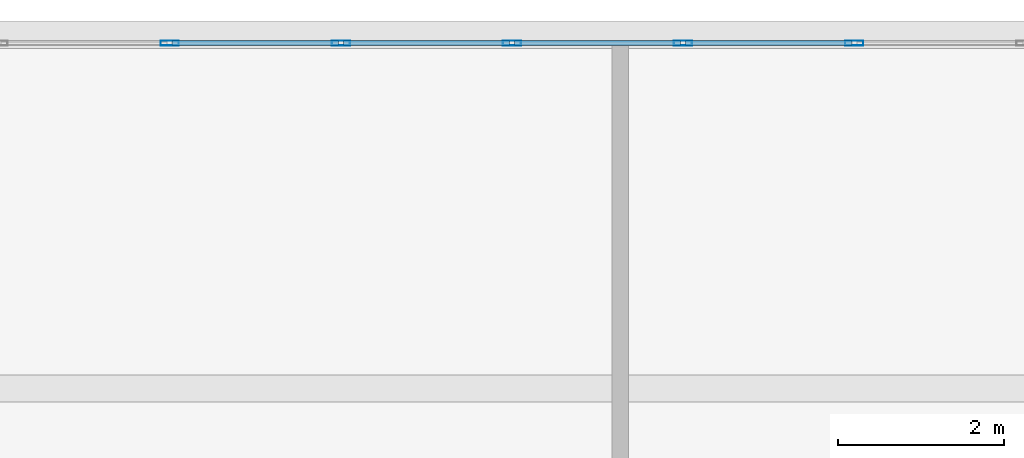
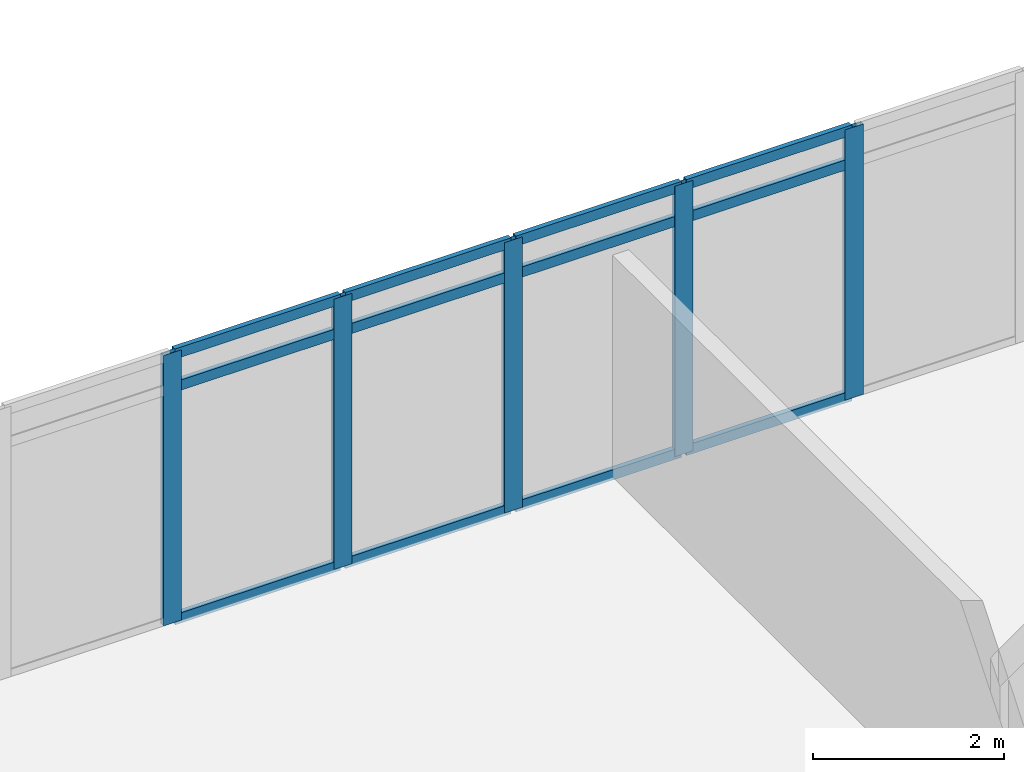
# One storey, part 22 of 38: 17 members, 1 element without a shape of its own.
"""IFC4 building model written with IfcOpenShell, lengths in metres."""

from ifc_helpers import new_model, si_unit, direction, frame, origin, origin_2d, place, context, subcontext, project, spatial, hollow_rectangle, extrude, material, material_profile, profile_set, type_object, element, aggregate, save


model = new_model("IFC4")

# Units and contexts
model_context = context("Model", 3, precision=1e-05, world=origin(), true_north=direction((0.0, 1.0)))
body_context = subcontext(model_context, "Body", "Model", "MODEL_VIEW")
ifc_project = project(units=[si_unit("LENGTHUNIT", "METRE"), si_unit("AREAUNIT", "SQUARE_METRE"), si_unit("VOLUMEUNIT", "CUBIC_METRE"), si_unit("PLANEANGLEUNIT", "RADIAN"), si_unit("MASSUNIT", "GRAM", prefix="KILO")], contexts=[model_context])

# Site, building, storey
site_placement = place(None, origin())
site = spatial("IfcSite", under=ifc_project, at=site_placement, CompositionType="ELEMENT")
building_placement = place(site_placement, origin())
building = spatial("IfcBuilding", under=site, at=building_placement, Name="Ostrander Bayou Hotel Tower", CompositionType="ELEMENT")
storey_placement = place(building_placement, frame((0.0, 0.0, 96.75)))
storey = spatial("IfcBuildingStorey", under=building, at=storey_placement, Name="L24", CompositionType="ELEMENT", Elevation=96.75)

# Curtain wall, members
ifc_material_1 = material(Name="Aluminium and clear glass", Category="aluminium")
curtain_wall_type = type_object("IfcCurtainWallType", Name="CW-BAR glazed wall", PredefinedType="NOTDEFINED", material=ifc_material_1)
curtain_wall_placement = place(storey_placement, origin())
curtain_wall = element("IfcCurtainWall", 1, at=curtain_wall_placement, inside=storey, type_object=curtain_wall_type, Name="CW-BAR L24:SB2N:T", PredefinedType="NOTDEFINED")
ifc_material_2 = material(Name="Aluminium", Category="aluminium")
ifc_material_profile_1 = material_profile(ifc_material_2, hollow_rectangle(XDim=0.06005859375, YDim=0.219970703125, WallThickness=0.00390625, at=origin_2d()))
ifc_profile_set_1 = profile_set([ifc_material_profile_1], Name="Aluminium")
member_type_1 = type_object("IfcMemberType", Name="CW-BR mullion 60 x 220 mm", PredefinedType="MULLION", material=ifc_profile_set_1)
member_1_placement = place(storey_placement, frame((1.0283203125, 31.4453125, 0.0), z_axis=(0.0, 0.0, 1.0), x_axis=(0.0, 1.0, 0.0)))
member_1 = element("IfcMember", 2, at=member_1_placement, type_object=member_type_1, Name="CW-BAR mullion 8", PredefinedType="MULLION", context=body_context, shape_type="SweptSolid", body=[
    extrude(hollow_rectangle(XDim=0.06005859375, YDim=0.219970703125, WallThickness=0.00390625, at=origin_2d()), origin(), (0.0, 0.0, 1.0), 3.449951171875),
])
member_2_placement = place(storey_placement, frame((3.084716796875, 31.4453125, 0.0), z_axis=(0.0, 0.0, 1.0), x_axis=(0.0, 1.0, 0.0)))
member_2 = element("IfcMember", 3, at=member_2_placement, type_object=member_type_1, Name="CW-BAR mullion 9", PredefinedType="MULLION", context=body_context, shape_type="SweptSolid", body=[
    extrude(hollow_rectangle(XDim=0.06005859375, YDim=0.219970703125, WallThickness=0.00390625, at=origin_2d()), origin(), (0.0, 0.0, 1.0), 3.449951171875),
])
member_3_placement = place(storey_placement, frame((5.14111328125, 31.4453125, 0.0), z_axis=(0.0, 0.0, 1.0), x_axis=(0.0, 1.0, 0.0)))
member_3 = element("IfcMember", 4, at=member_3_placement, type_object=member_type_1, Name="CW-BAR mullion 10", PredefinedType="MULLION", context=body_context, shape_type="SweptSolid", body=[
    extrude(hollow_rectangle(XDim=0.06005859375, YDim=0.219970703125, WallThickness=0.00390625, at=origin_2d()), origin(), (0.0, 0.0, 1.0), 3.449951171875),
])
member_4_placement = place(storey_placement, frame((7.19775390625, 31.4453125, 0.0), z_axis=(0.0, 0.0, 1.0), x_axis=(0.0, 1.0, 0.0)))
member_4 = element("IfcMember", 5, at=member_4_placement, type_object=member_type_1, Name="CW-BAR mullion 11", PredefinedType="MULLION", context=body_context, shape_type="SweptSolid", body=[
    extrude(hollow_rectangle(XDim=0.06005859375, YDim=0.219970703125, WallThickness=0.00390625, at=origin_2d()), origin(), (0.0, 0.0, 1.0), 3.449951171875),
])
member_5_placement = place(storey_placement, frame((9.254150390625, 31.4453125, 0.0), z_axis=(0.0, 0.0, 1.0), x_axis=(0.0, 1.0, 0.0)))
member_5 = element("IfcMember", 6, at=member_5_placement, type_object=member_type_1, Name="CW-BAR mullion 12", PredefinedType="MULLION", context=body_context, shape_type="SweptSolid", body=[
    extrude(hollow_rectangle(XDim=0.06005859375, YDim=0.219970703125, WallThickness=0.00390625, at=origin_2d()), origin(), (0.0, 0.0, 1.0), 3.449951171875),
])
ifc_material_3 = material(Name="Aluminium", Category="aluminium")
ifc_material_profile_2 = material_profile(ifc_material_3, hollow_rectangle(XDim=0.06005859375, YDim=0.1298828125, WallThickness=0.00390625, at=origin_2d()))
ifc_profile_set_2 = profile_set([ifc_material_profile_2], Name="Aluminium")
member_type_2 = type_object("IfcMemberType", Name="CW-BR transom 60 x 130 mm", PredefinedType="USERDEFINED", material=ifc_profile_set_2)
member_6_placement = place(storey_placement, frame((1.058349609375, 31.4453125, 0.030029296875), z_axis=(1.0, 0.0, 0.0), x_axis=(0.0, 1.0, 0.0)))
member_6 = element("IfcMember", 7, at=member_6_placement, type_object=member_type_2, Name="CW-BAR transom 8.1", ObjectType="TRANSOM", PredefinedType="USERDEFINED", context=body_context, shape_type="SweptSolid", body=[
    extrude(hollow_rectangle(XDim=0.06005859375, YDim=0.1298828125, WallThickness=0.00390625, at=origin_2d()), origin(), (0.0, 0.0, 1.0), 1.996337890625),
])
member_7_placement = place(storey_placement, frame((1.058349609375, 31.4453125, 3.0), z_axis=(1.0, 0.0, 0.0), x_axis=(0.0, 1.0, 0.0)))
member_7 = element("IfcMember", 8, at=member_7_placement, type_object=member_type_2, Name="CW-BAR transom 8.2", ObjectType="TRANSOM", PredefinedType="USERDEFINED", context=body_context, shape_type="SweptSolid", body=[
    extrude(hollow_rectangle(XDim=0.06005859375, YDim=0.1298828125, WallThickness=0.00390625, at=origin_2d()), origin(), (0.0, 0.0, 1.0), 1.996337890625),
])
member_8_placement = place(storey_placement, frame((1.058349609375, 31.4453125, 3.419921875), z_axis=(1.0, 0.0, 0.0), x_axis=(0.0, 1.0, 0.0)))
member_8 = element("IfcMember", 9, at=member_8_placement, type_object=member_type_2, Name="CW-BAR transom 8.3", ObjectType="TRANSOM", PredefinedType="USERDEFINED", context=body_context, shape_type="SweptSolid", body=[
    extrude(hollow_rectangle(XDim=0.06005859375, YDim=0.1298828125, WallThickness=0.00390625, at=origin_2d()), origin(), (0.0, 0.0, 1.0), 1.996337890625),
])
member_9_placement = place(storey_placement, frame((3.11474609375, 31.4453125, 0.030029296875), z_axis=(1.0, 0.0, 0.0), x_axis=(0.0, 1.0, 0.0)))
member_9 = element("IfcMember", 10, at=member_9_placement, type_object=member_type_2, Name="CW-BAR transom 9.1", ObjectType="TRANSOM", PredefinedType="USERDEFINED", context=body_context, shape_type="SweptSolid", body=[
    extrude(hollow_rectangle(XDim=0.06005859375, YDim=0.1298828125, WallThickness=0.00390625, at=origin_2d()), origin(), (0.0, 0.0, 1.0), 1.99658203125),
])
member_10_placement = place(storey_placement, frame((3.11474609375, 31.4453125, 3.0), z_axis=(1.0, 0.0, 0.0), x_axis=(0.0, 1.0, 0.0)))
member_10 = element("IfcMember", 11, at=member_10_placement, type_object=member_type_2, Name="CW-BAR transom 9.2", ObjectType="TRANSOM", PredefinedType="USERDEFINED", context=body_context, shape_type="SweptSolid", body=[
    extrude(hollow_rectangle(XDim=0.06005859375, YDim=0.1298828125, WallThickness=0.00390625, at=origin_2d()), origin(), (0.0, 0.0, 1.0), 1.99658203125),
])
member_11_placement = place(storey_placement, frame((3.11474609375, 31.4453125, 3.419921875), z_axis=(1.0, 0.0, 0.0), x_axis=(0.0, 1.0, 0.0)))
member_11 = element("IfcMember", 12, at=member_11_placement, type_object=member_type_2, Name="CW-BAR transom 9.3", ObjectType="TRANSOM", PredefinedType="USERDEFINED", context=body_context, shape_type="SweptSolid", body=[
    extrude(hollow_rectangle(XDim=0.06005859375, YDim=0.1298828125, WallThickness=0.00390625, at=origin_2d()), origin(), (0.0, 0.0, 1.0), 1.99658203125),
])
member_12_placement = place(storey_placement, frame((5.171142578125, 31.4453125, 0.030029296875), z_axis=(1.0, 0.0, 0.0), x_axis=(0.0, 1.0, 0.0)))
member_12 = element("IfcMember", 13, at=member_12_placement, type_object=member_type_2, Name="CW-BAR transom 10.1", ObjectType="TRANSOM", PredefinedType="USERDEFINED", context=body_context, shape_type="SweptSolid", body=[
    extrude(hollow_rectangle(XDim=0.06005859375, YDim=0.1298828125, WallThickness=0.00390625, at=origin_2d()), origin(), (0.0, 0.0, 1.0), 1.99658203125),
])
member_13_placement = place(storey_placement, frame((5.171142578125, 31.4453125, 3.0), z_axis=(1.0, 0.0, 0.0), x_axis=(0.0, 1.0, 0.0)))
member_13 = element("IfcMember", 14, at=member_13_placement, type_object=member_type_2, Name="CW-BAR transom 10.2", ObjectType="TRANSOM", PredefinedType="USERDEFINED", context=body_context, shape_type="SweptSolid", body=[
    extrude(hollow_rectangle(XDim=0.06005859375, YDim=0.1298828125, WallThickness=0.00390625, at=origin_2d()), origin(), (0.0, 0.0, 1.0), 1.99658203125),
])
member_14_placement = place(storey_placement, frame((5.171142578125, 31.4453125, 3.419921875), z_axis=(1.0, 0.0, 0.0), x_axis=(0.0, 1.0, 0.0)))
member_14 = element("IfcMember", 15, at=member_14_placement, type_object=member_type_2, Name="CW-BAR transom 10.3", ObjectType="TRANSOM", PredefinedType="USERDEFINED", context=body_context, shape_type="SweptSolid", body=[
    extrude(hollow_rectangle(XDim=0.06005859375, YDim=0.1298828125, WallThickness=0.00390625, at=origin_2d()), origin(), (0.0, 0.0, 1.0), 1.99658203125),
])
member_15_placement = place(storey_placement, frame((7.227783203125, 31.4453125, 0.030029296875), z_axis=(1.0, 0.0, 0.0), x_axis=(0.0, 1.0, 0.0)))
member_15 = element("IfcMember", 16, at=member_15_placement, type_object=member_type_2, Name="CW-BAR transom 11.1", ObjectType="TRANSOM", PredefinedType="USERDEFINED", context=body_context, shape_type="SweptSolid", body=[
    extrude(hollow_rectangle(XDim=0.06005859375, YDim=0.1298828125, WallThickness=0.00390625, at=origin_2d()), origin(), (0.0, 0.0, 1.0), 1.996337890625),
])
member_16_placement = place(storey_placement, frame((7.227783203125, 31.4453125, 3.0), z_axis=(1.0, 0.0, 0.0), x_axis=(0.0, 1.0, 0.0)))
member_16 = element("IfcMember", 17, at=member_16_placement, type_object=member_type_2, Name="CW-BAR transom 11.2", ObjectType="TRANSOM", PredefinedType="USERDEFINED", context=body_context, shape_type="SweptSolid", body=[
    extrude(hollow_rectangle(XDim=0.06005859375, YDim=0.1298828125, WallThickness=0.00390625, at=origin_2d()), origin(), (0.0, 0.0, 1.0), 1.996337890625),
])
member_17_placement = place(storey_placement, frame((7.227783203125, 31.4453125, 3.419921875), z_axis=(1.0, 0.0, 0.0), x_axis=(0.0, 1.0, 0.0)))
member_17 = element("IfcMember", 18, at=member_17_placement, type_object=member_type_2, Name="CW-BAR transom 11.3", ObjectType="TRANSOM", PredefinedType="USERDEFINED", context=body_context, shape_type="SweptSolid", body=[
    extrude(hollow_rectangle(XDim=0.06005859375, YDim=0.1298828125, WallThickness=0.00390625, at=origin_2d()), origin(), (0.0, 0.0, 1.0), 1.996337890625),
])
aggregate(curtain_wall, [member_1, member_2, member_3, member_4, member_5, member_6, member_7, member_8, member_9, member_10, member_11, member_12, member_13, member_14, member_15, member_16, member_17])

save(model, "model.ifc")
